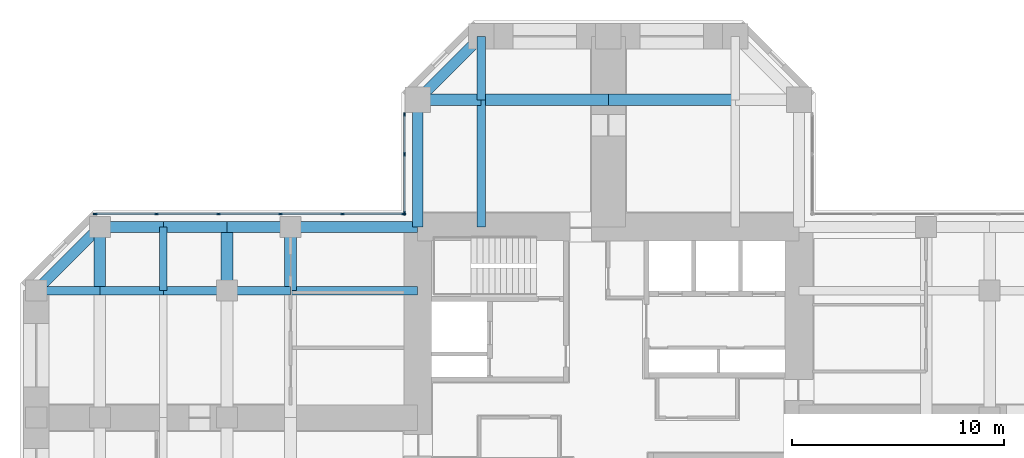
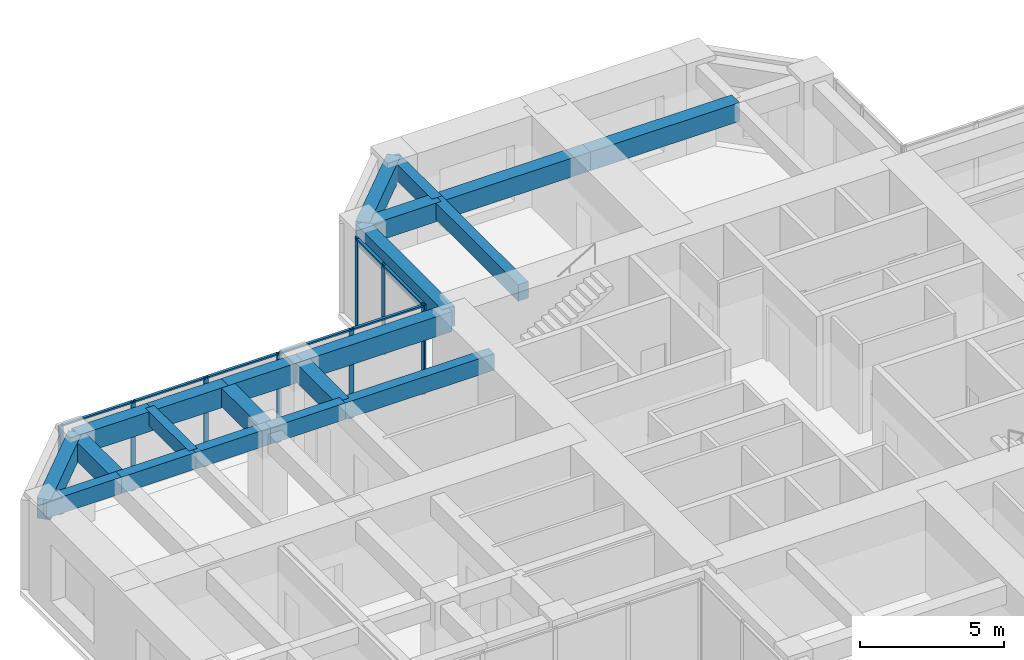
# One storey, part 5 of 12: 21 beams, 16 members, 2 elements without a shape of their own.
"""IFC4 building model written with IfcOpenShell, lengths in metres."""

import ifcopenshell
import ifcopenshell.guid

model = None  # the IFC model being written
_history = None  # IfcOwnerHistory: only IFC2X3 demands one
_inside = {}  # id of a spatial element -> (the spatial element, [elements in it])
_under = {}  # id of a project, library or spatial element -> (it, [spatial elements below it])
_declared = {}  # id of a project -> (the project, [libraries it declares])
_typed = {}  # id of a type object -> (the type object, [elements of that type])
_made_of = {}  # id of a material, layer set ... -> (it, [elements and type objects made of it])


def new_model(schema):
    """Start an empty IFC model of exactly this schema.

    Asked for "IFC4X3", IfcOpenShell would pick the latest addendum, in which some entities
    have other attributes; the version numbers below select the first issue.
    IFC2X3 requires an IfcOwnerHistory on every rooted entity: one is made here for all.
    """
    global model, _history
    if schema == "IFC4X3":
        model = ifcopenshell.file(schema_version=(4, 3, 0, 0))
    else:
        model = ifcopenshell.file(schema=schema)
    _inside.clear()
    _under.clear()
    _declared.clear()
    _typed.clear()
    _made_of.clear()
    _history = None
    if model.schema == "IFC2X3":
        org = make("IfcOrganization", Name="unknown")
        user = make(
            "IfcPersonAndOrganization",
            ThePerson=make("IfcPerson", FamilyName="unknown"),
            TheOrganization=org,
        )
        app = make(
            "IfcApplication",
            ApplicationDeveloper=org,
            Version="unknown",
            ApplicationFullName="unknown",
            ApplicationIdentifier="unknown",
        )
        _history = make(
            "IfcOwnerHistory",
            OwningUser=user,
            OwningApplication=app,
            ChangeAction="ADDED",
            CreationDate=0,
        )
    return model


def make(cls, **values):
    """One entity of the class cls with the attributes given. An attribute that is None is left unset."""
    return model.create_entity(
        cls, **{name: value for name, value in values.items() if value is not None}
    )


def rooted(cls, **values):
    """An entity with a GlobalId (a new one), such as an element, a storey or a relation."""
    return make(cls, GlobalId=ifcopenshell.guid.new(), OwnerHistory=_history, **values)


def si_unit(unit_type, name, prefix=None):
    """IfcSIUnit, for example si_unit("LENGTHUNIT", "METRE", prefix="MILLI")."""
    return make("IfcSIUnit", UnitType=unit_type, Prefix=prefix, Name=name)


def assignment(units):
    """IfcUnitAssignment: the units of a project."""
    return None if units is None else make("IfcUnitAssignment", Units=units)


def point(xyz):
    """IfcCartesianPoint."""
    return None if xyz is None else make("IfcCartesianPoint", Coordinates=xyz)


def direction(xyz):
    """IfcDirection."""
    return None if xyz is None else make("IfcDirection", DirectionRatios=xyz)


def frame(location, z_axis=None, x_axis=None):
    """IfcAxis2Placement3D, a coordinate frame: its origin and axes. An axis left out is left unset."""
    return make(
        "IfcAxis2Placement3D",
        Location=point(location),
        Axis=direction(z_axis),
        RefDirection=direction(x_axis),
    )


def frame_2d(location, x_axis=None):
    """IfcAxis2Placement2D, a coordinate frame in the plane: its origin and x axis."""
    return make(
        "IfcAxis2Placement2D", Location=point(location), RefDirection=direction(x_axis)
    )


def origin():
    """The frame at (0, 0, 0) with its axes left unset."""
    return frame((0.0, 0.0, 0.0))


def origin_2d():
    """The frame at (0, 0) in the plane with its x axis left unset."""
    return frame_2d((0.0, 0.0))


def place(relative_to, where):
    """IfcLocalPlacement: puts the frame where relative to a parent placement (None: the world)."""
    return make(
        "IfcLocalPlacement", PlacementRelTo=relative_to, RelativePlacement=where
    )


def context(
    kind, dimensions, precision=None, world=None, true_north=None, identifier=None
):
    """IfcGeometricRepresentationContext, for example the 3D "Model" context."""
    return make(
        "IfcGeometricRepresentationContext",
        ContextIdentifier=identifier,
        ContextType=kind,
        CoordinateSpaceDimension=dimensions,
        Precision=precision,
        WorldCoordinateSystem=world,
        TrueNorth=true_north,
    )


def subcontext(parent, identifier, kind, view, scale=None):
    """IfcGeometricRepresentationSubContext, for example "Body" below "Model"."""
    return make(
        "IfcGeometricRepresentationSubContext",
        ContextIdentifier=identifier,
        ContextType=kind,
        ParentContext=parent,
        TargetScale=scale,
        TargetView=view,
    )


def project(units=None, contexts=None):
    """IfcProject with its units and contexts."""
    return rooted(
        "IfcProject",
        Name="project",
        RepresentationContexts=contexts,
        UnitsInContext=assignment(units),
    )


def spatial(cls, under=None, at=None, **own):
    """A site, building, storey or space (cls), placed at a placement, below another one or the project."""
    s = rooted(cls, ObjectPlacement=at, **own)
    if under is not None:
        _under.setdefault(under.id(), (under, []))[1].append(s)
    return s


def profile(cls, at=None, kind="AREA", **sizes):
    """A parametric profile (cls). Its sizes go by their IFC names, for example OverallWidth=200.0."""
    return make(cls, ProfileType=kind, Position=at, **sizes)


def rectangle(**sizes):
    """IfcRectangleProfileDef."""
    return profile("IfcRectangleProfileDef", **sizes)


def extrude(swept, where, along, depth):
    """IfcExtrudedAreaSolid: the profile swept, set in the frame where, extruded along a direction by depth."""
    return make(
        "IfcExtrudedAreaSolid",
        SweptArea=swept,
        Position=where,
        ExtrudedDirection=direction(along),
        Depth=depth,
    )


def shape(context_of_items, identifier, shape_type, items):
    """IfcShapeRepresentation: the items that make up one representation, for example the "Body"."""
    return make(
        "IfcShapeRepresentation",
        ContextOfItems=context_of_items,
        RepresentationIdentifier=identifier,
        RepresentationType=shape_type,
        Items=items,
    )


def material(Name=None, Category=None):
    """IfcMaterial."""
    return make("IfcMaterial", Name=Name, Category=Category)


def material_profile(
    of_material, cross_section, Name=None, Category=None, Priority=None
):
    """IfcMaterialProfile: a cross section and its material."""
    return make(
        "IfcMaterialProfile",
        Name=Name,
        Material=of_material,
        Profile=cross_section,
        Priority=Priority,
        Category=Category,
    )


def profile_set(profiles, Name=None, composite=None):
    """IfcMaterialProfileSet."""
    return make(
        "IfcMaterialProfileSet",
        Name=Name,
        MaterialProfiles=profiles,
        CompositeProfile=composite,
    )


def made_of(thing, what):
    """Note that an element or type object is made of a material, layer set ...; save() writes the relation."""
    if what is not None:
        _made_of.setdefault(what.id(), (what, []))[1].append(thing)
    return thing


def type_object(cls, material=None, **own):
    """A type object (cls), such as IfcWallType, which elements share."""
    return made_of(rooted(cls, **own), material)


def element(
    cls,
    number,
    at=None,
    inside=None,
    cuts=None,
    type_object=None,
    material=None,
    context=None,
    identifier="Body",
    shape_type=None,
    held_by="IfcProductDefinitionShape",
    body=None,
    shapes=None,
    **own,
):
    """One element of the class cls, such as IfcWall. Its Tag is "e" and its number.

    at: its placement. inside: the storey or other place that contains it. cuts: it is an
    opening in that element (IfcRelVoidsElement). A single representation is given by context,
    identifier, shape_type and body (its items); several are given by shapes. held_by: the class
    of the entity that holds the representations. save() writes the other relations.
    """
    e = rooted(cls, Tag="e%d" % number, ObjectPlacement=at, **own)
    if body is not None:
        shapes = [shape(context, identifier, shape_type, body)]
    if shapes is not None:
        e.Representation = make(held_by, Representations=shapes)
    if inside is not None:
        _inside.setdefault(inside.id(), (inside, []))[1].append(e)
    if cuts is not None:
        rooted(
            "IfcRelVoidsElement", RelatingBuildingElement=cuts, RelatedOpeningElement=e
        )
    if type_object is not None:
        _typed.setdefault(type_object.id(), (type_object, []))[1].append(e)
    return made_of(e, material)


def aggregate(whole, parts):
    """IfcRelAggregates: a whole, such as a stair, and the parts it consists of."""
    return rooted("IfcRelAggregates", RelatingObject=whole, RelatedObjects=parts)


def save(model, path):
    """Write the relations noted so far, then the file.

    IfcRelAggregates (storeys below a building ...), IfcRelContainedInSpatialStructure (elements
    in a storey), IfcRelDefinesByType, IfcRelAssociatesMaterial and IfcRelDeclares: one each for
    every whole, place, type object, material and project.
    """
    for whole, parts in _under.values():
        aggregate(whole, parts)
    for where, things in _inside.values():
        rooted(
            "IfcRelContainedInSpatialStructure",
            RelatedElements=things,
            RelatingStructure=where,
        )
    for kind, things in _typed.values():
        rooted("IfcRelDefinesByType", RelatedObjects=things, RelatingType=kind)
    for what, things in _made_of.values():
        rooted("IfcRelAssociatesMaterial", RelatedObjects=things, RelatingMaterial=what)
    for by, libraries in _declared.values():
        rooted("IfcRelDeclares", RelatingContext=by, RelatedDefinitions=libraries)
    model.write(path)


model = new_model("IFC4")

# Units and contexts
model_context = context("Model", 3, precision=1e-05, world=origin(), true_north=direction((0.0, 1.0)))
body_context = subcontext(model_context, "Body", "Model", "MODEL_VIEW")
ifc_project = project(units=[si_unit("LENGTHUNIT", "METRE"), si_unit("AREAUNIT", "SQUARE_METRE"), si_unit("VOLUMEUNIT", "CUBIC_METRE"), si_unit("PLANEANGLEUNIT", "RADIAN"), si_unit("MASSUNIT", "GRAM", prefix="KILO")], contexts=[model_context])

# Site, building, storey
site_placement = place(None, origin())
site = spatial("IfcSite", under=ifc_project, at=site_placement, CompositionType="ELEMENT")
building_placement = place(site_placement, origin())
building = spatial("IfcBuilding", under=site, at=building_placement, Name="Torre Cruceta", CompositionType="ELEMENT")
storey_placement = place(building_placement, frame((0.0, 0.0, 108.5)))
storey = spatial("IfcBuildingStorey", under=building, at=storey_placement, Name="L26", CompositionType="ELEMENT", Elevation=108.5)

# Beams
ifc_material_1 = material(Name="Concrete G60 (fck 60 MPa)", Category="concrete")
ifc_material_profile_1 = material_profile(ifc_material_1, rectangle(XDim=0.39990234375, YDim=0.699951171875, at=origin_2d()), Name="RC 400X700")
ifc_profile_set_1 = profile_set([ifc_material_profile_1], Name="Concrete G60 (fck 60 MPa)")
beam_type_1 = type_object("IfcBeamType", Name="COLUMN LINE BEAM RC 400X700", PredefinedType="BEAM", material=ifc_profile_set_1)
beam_1_placement = place(storey_placement, frame((-6.0, 9.0, 3.449951171875), z_axis=(0.0, 1.0, 0.0), x_axis=(-1.0, 0.0, 0.0)))
element("IfcBeam", 1, at=beam_1_placement, inside=storey, type_object=beam_type_1, Name="LB5 L26 N col+ 1", PredefinedType="BEAM", context=body_context, shape_type="SweptSolid", body=[
    extrude(rectangle(XDim=0.39990234375, YDim=0.699951171875, at=origin_2d()), origin(), (0.0, 0.0, 1.0), 6.0),
])
beam_2_placement = place(storey_placement, frame((-6.0, 15.0, 3.449951171875), z_axis=(0.0, 1.0, 0.0), x_axis=(-1.0, 0.0, 0.0)))
element("IfcBeam", 2, at=beam_2_placement, inside=storey, type_object=beam_type_1, Name="LB5 L26 N col+ 2", PredefinedType="BEAM", context=body_context, shape_type="SweptSolid", body=[
    extrude(rectangle(XDim=0.39990234375, YDim=0.699951171875, at=origin_2d()), origin(), (0.0, 0.0, 1.0), 3.0),
])
beam_3_placement = place(storey_placement, frame((-9.0, 6.0, 3.449951171875), z_axis=(-1.0, 0.0, 0.0), x_axis=(0.0, -1.0, 0.0)))
element("IfcBeam", 3, at=beam_3_placement, inside=storey, type_object=beam_type_1, Name="LB5 L26 W col- 1", PredefinedType="BEAM", context=body_context, shape_type="SweptSolid", body=[
    extrude(rectangle(XDim=0.39990234375, YDim=0.699951171875, at=origin_2d()), origin(), (0.0, 0.0, 1.0), 6.0),
])
for number, where, z_axis, x_axis, name in (
    (4, (-15.0, 6.0, 3.449951171875), (-1.0, 0.0, 0.0), (0.0, -1.0, 0.0), "LB5 L26 W col- 2"),
    (5, (-18.0, 6.0, 3.449951171875), (-1.0, 0.0, 0.0), (0.0, -1.0, 0.0), "LB5 L26 W col- 3"),
    (6, (-21.0, 6.0, 3.449951171875), (-1.0, 0.0, 0.0), (0.0, -1.0, 0.0), "LB5 L26 W col- 4"),
    (7, (-24.0, 6.0, 3.449951171875), (-1.0, 0.0, 0.0), (0.0, -1.0, 0.0), "LB5 L26 W col- 5"),
):
    element("IfcBeam", number, at=place(storey_placement, frame(where, z_axis=z_axis, x_axis=x_axis)), inside=storey, type_object=beam_type_1, Name=name, PredefinedType="BEAM", context=body_context, shape_type="SweptSolid", body=[
        extrude(rectangle(XDim=0.39990234375, YDim=0.699951171875, at=origin_2d()), origin(), (0.0, 0.0, 1.0), 3.0),
    ])
ifc_material_2 = material(Name="Concrete G60 (fck 60 MPa)", Category="concrete")
ifc_material_profile_2 = material_profile(ifc_material_2, rectangle(XDim=0.550048828125, YDim=0.800048828125, at=origin_2d()), Name="RC 550X800")
ifc_profile_set_2 = profile_set([ifc_material_profile_2], Name="Concrete G60 (fck 60 MPa)")
beam_type_2 = type_object("IfcBeamType", Name="CROSS BEAM RC 550X800", PredefinedType="BEAM", material=ifc_profile_set_2)
for number, where, z_axis, x_axis, name in (
    (8, (6.0, 15.0, 3.39990234375), (-1.0, 0.0, 0.0), (0.0, -1.0, 0.0), "GB5 L26 N cross15 2"),
    (9, (0.0, 15.0, 3.39990234375), (-1.0, 0.0, 0.0), (0.0, -1.0, 0.0), "GB5 L26 N cross15 3"),
):
    element("IfcBeam", number, at=place(storey_placement, frame(where, z_axis=z_axis, x_axis=x_axis)), inside=storey, type_object=beam_type_2, Name=name, PredefinedType="BEAM", context=body_context, shape_type="SweptSolid", body=[
        extrude(rectangle(XDim=0.550048828125, YDim=0.800048828125, at=origin_2d()), origin(), (0.0, 0.0, 1.0), 6.0),
    ])
for number, where, z_axis, x_axis, name in (
    (10, (-6.0, 15.0, 3.39990234375), (-1.0, 0.0, 0.0), (0.0, -1.0, 0.0), "GB5 L26 N cross15 4"),
    (11, (-15.0, 9.0, 3.39990234375), (0.0, -1.0, 0.0), (1.0, 0.0, 0.0), "GB5 L26 W cross15 1"),
    (12, (-18.0, 9.0, 3.39990234375), (0.0, -1.0, 0.0), (1.0, 0.0, 0.0), "GB5 L26 W cross18 1"),
    (13, (-24.0, 9.0, 3.39990234375), (0.0, -1.0, 0.0), (1.0, 0.0, 0.0), "GB5 L26 W cross24 1"),
):
    element("IfcBeam", number, at=place(storey_placement, frame(where, z_axis=z_axis, x_axis=x_axis)), inside=storey, type_object=beam_type_2, Name=name, PredefinedType="BEAM", context=body_context, shape_type="SweptSolid", body=[
        extrude(rectangle(XDim=0.550048828125, YDim=0.800048828125, at=origin_2d()), origin(), (0.0, 0.0, 1.0), 3.0),
    ])

# Curtain wall, members
ifc_material_3 = material(Name="Aluminium unitised curtain wall", Category="aluminium")
curtain_wall_type = type_object("IfcCurtainWallType", Name="CURTAIN WALL CW-B OFFICE MID RISE", PredefinedType="USERDEFINED", material=ifc_material_3)
curtain_wall_1_placement = place(storey_placement, origin())
curtain_wall_1 = element("IfcCurtainWall", 14, at=curtain_wall_1_placement, inside=storey, type_object=curtain_wall_type, Name="CW-B L26 N side 09", ObjectType="UNITISED", PredefinedType="USERDEFINED")
ifc_material_4 = material(Name="Aluminium mullion", Category="aluminium")
ifc_material_profile_3 = material_profile(ifc_material_4, rectangle(XDim=0.06494140625, YDim=0.179931640625, at=origin_2d()), Name="AL 65X180")
ifc_profile_set_3 = profile_set([ifc_material_profile_3], Name="Aluminium mullion")
member_type_1 = type_object("IfcMemberType", Name="CW-B MULLION 65X180", PredefinedType="MULLION", material=ifc_profile_set_3)
member_1_placement = place(storey_placement, frame((-9.6201171875, 14.30908203125, 0.0), z_axis=(0.0, 0.0, 1.0), x_axis=(1.0, 0.0, 0.0)))
member_1 = element("IfcMember", 15, at=member_1_placement, type_object=member_type_1, Name="CW-B mullion 1", PredefinedType="MULLION", context=body_context, shape_type="SweptSolid", body=[
    extrude(rectangle(XDim=0.06494140625, YDim=0.179931640625, at=origin_2d()), origin(), (0.0, 0.0, 1.0), 3.800048828125),
])
member_2_placement = place(storey_placement, frame((-9.6201171875, 12.4384765625, 0.0), z_axis=(0.0, 0.0, 1.0), x_axis=(1.0, 0.0, 0.0)))
member_2 = element("IfcMember", 16, at=member_2_placement, type_object=member_type_1, Name="CW-B mullion 2", PredefinedType="MULLION", context=body_context, shape_type="SweptSolid", body=[
    extrude(rectangle(XDim=0.06494140625, YDim=0.179931640625, at=origin_2d()), origin(), (0.0, 0.0, 1.0), 3.800048828125),
])
member_3_placement = place(storey_placement, frame((-9.6201171875, 9.652587890625, 0.0), z_axis=(0.0, 0.0, 1.0), x_axis=(1.0, 0.0, 0.0)))
member_3 = element("IfcMember", 17, at=member_3_placement, type_object=member_type_1, Name="CW-B mullion 3", PredefinedType="MULLION", context=body_context, shape_type="SweptSolid", body=[
    extrude(rectangle(XDim=0.06494140625, YDim=0.179931640625, at=origin_2d()), origin(), (0.0, 0.0, 1.0), 3.800048828125),
])

curtain_wall_2_placement = place(storey_placement, origin())
curtain_wall_2 = element("IfcCurtainWall", 18, at=curtain_wall_2_placement, inside=storey, type_object=curtain_wall_type, Name="CW-B L26 W side 10", ObjectType="UNITISED", PredefinedType="USERDEFINED")
member_4_placement = place(storey_placement, frame((-9.652587890625, 9.6201171875, 0.0), z_axis=(0.0, 0.0, 1.0), x_axis=(0.0, -1.0, 0.0)))
member_4 = element("IfcMember", 19, at=member_4_placement, type_object=member_type_1, Name="CW-B mullion 1", PredefinedType="MULLION", context=body_context, shape_type="SweptSolid", body=[
    extrude(rectangle(XDim=0.06494140625, YDim=0.179931640625, at=origin_2d()), origin(), (0.0, 0.0, 1.0), 3.800048828125),
])
member_5_placement = place(storey_placement, frame((-12.54736328125, 9.6201171875, 0.0), z_axis=(0.0, 0.0, 1.0), x_axis=(0.0, -1.0, 0.0)))
member_5 = element("IfcMember", 20, at=member_5_placement, type_object=member_type_1, Name="CW-B mullion 2", PredefinedType="MULLION", context=body_context, shape_type="SweptSolid", body=[
    extrude(rectangle(XDim=0.06494140625, YDim=0.179931640625, at=origin_2d()), origin(), (0.0, 0.0, 1.0), 3.800048828125),
])
member_6_placement = place(storey_placement, frame((-15.474609375, 9.6201171875, 0.0), z_axis=(0.0, 0.0, 1.0), x_axis=(0.0, -1.0, 0.0)))
member_6 = element("IfcMember", 21, at=member_6_placement, type_object=member_type_1, Name="CW-B mullion 3", PredefinedType="MULLION", context=body_context, shape_type="SweptSolid", body=[
    extrude(rectangle(XDim=0.06494140625, YDim=0.179931640625, at=origin_2d()), origin(), (0.0, 0.0, 1.0), 3.800048828125),
])
member_7_placement = place(storey_placement, frame((-18.402099609375, 9.6201171875, 0.0), z_axis=(0.0, 0.0, 1.0), x_axis=(0.0, -1.0, 0.0)))
member_7 = element("IfcMember", 22, at=member_7_placement, type_object=member_type_1, Name="CW-B mullion 4", PredefinedType="MULLION", context=body_context, shape_type="SweptSolid", body=[
    extrude(rectangle(XDim=0.06494140625, YDim=0.179931640625, at=origin_2d()), origin(), (0.0, 0.0, 1.0), 3.800048828125),
])
member_8_placement = place(storey_placement, frame((-21.329345703125, 9.6201171875, 0.0), z_axis=(0.0, 0.0, 1.0), x_axis=(0.0, -1.0, 0.0)))
member_8 = element("IfcMember", 23, at=member_8_placement, type_object=member_type_1, Name="CW-B mullion 5", PredefinedType="MULLION", context=body_context, shape_type="SweptSolid", body=[
    extrude(rectangle(XDim=0.06494140625, YDim=0.179931640625, at=origin_2d()), origin(), (0.0, 0.0, 1.0), 3.800048828125),
])
member_9_placement = place(storey_placement, frame((-24.224365234375, 9.6201171875, 0.0), z_axis=(0.0, 0.0, 1.0), x_axis=(0.0, -1.0, 0.0)))
member_9 = element("IfcMember", 24, at=member_9_placement, type_object=member_type_1, Name="CW-B mullion 6", PredefinedType="MULLION", context=body_context, shape_type="SweptSolid", body=[
    extrude(rectangle(XDim=0.06494140625, YDim=0.179931640625, at=origin_2d()), origin(), (0.0, 0.0, 1.0), 3.800048828125),
])

# Member
ifc_material_5 = material(Name="Aluminium transom", Category="aluminium")
ifc_material_profile_4 = material_profile(ifc_material_5, rectangle(XDim=0.110107421875, YDim=0.06494140625, at=origin_2d()), Name="AL 110X65")
ifc_profile_set_4 = profile_set([ifc_material_profile_4], Name="Aluminium transom")
member_type_2 = type_object("IfcMemberType", Name="CW-B TRANSOM 65X110", PredefinedType="USERDEFINED", material=ifc_profile_set_4)
member_10_placement = place(storey_placement, frame((-9.6201171875, 14.276611328125, 3.767578125), z_axis=(0.0, -1.0, 0.0), x_axis=(1.0, 0.0, 0.0)))
member_10 = element("IfcMember", 25, at=member_10_placement, type_object=member_type_2, Name="CW-B transom 1", ObjectType="TRANSOM", PredefinedType="USERDEFINED", context=body_context, shape_type="SweptSolid", body=[
    extrude(rectangle(XDim=0.110107421875, YDim=0.06494140625, at=origin_2d()), origin(), (0.0, 0.0, 1.0), 1.8056640625),
])

member_11_placement = place(storey_placement, frame((-9.6201171875, 12.406005859375, 3.767578125), z_axis=(0.0, -1.0, 0.0), x_axis=(1.0, 0.0, 0.0)))
member_11 = element("IfcMember", 26, at=member_11_placement, type_object=member_type_2, Name="CW-B transom 2", ObjectType="TRANSOM", PredefinedType="USERDEFINED", context=body_context, shape_type="SweptSolid", body=[
    extrude(rectangle(XDim=0.110107421875, YDim=0.06494140625, at=origin_2d()), origin(), (0.0, 0.0, 1.0), 2.720947265625),
])

aggregate(curtain_wall_1, [member_1, member_2, member_3, member_10, member_11])

member_12_placement = place(storey_placement, frame((-9.68505859375, 9.6201171875, 3.767578125), z_axis=(-1.0, 0.0, 0.0), x_axis=(0.0, -1.0, 0.0)))
member_12 = element("IfcMember", 27, at=member_12_placement, type_object=member_type_2, Name="CW-B transom 1", ObjectType="TRANSOM", PredefinedType="USERDEFINED", context=body_context, shape_type="SweptSolid", body=[
    extrude(rectangle(XDim=0.110107421875, YDim=0.06494140625, at=origin_2d()), origin(), (0.0, 0.0, 1.0), 2.829833984375),
])

member_13_placement = place(storey_placement, frame((-12.579833984375, 9.6201171875, 3.767578125), z_axis=(-1.0, 0.0, 0.0), x_axis=(0.0, -1.0, 0.0)))
member_13 = element("IfcMember", 28, at=member_13_placement, type_object=member_type_2, Name="CW-B transom 2", ObjectType="TRANSOM", PredefinedType="USERDEFINED", context=body_context, shape_type="SweptSolid", body=[
    extrude(rectangle(XDim=0.110107421875, YDim=0.06494140625, at=origin_2d()), origin(), (0.0, 0.0, 1.0), 2.8623046875),
])

member_14_placement = place(storey_placement, frame((-15.50732421875, 9.6201171875, 3.767578125), z_axis=(-1.0, 0.0, 0.0), x_axis=(0.0, -1.0, 0.0)))
member_14 = element("IfcMember", 29, at=member_14_placement, type_object=member_type_2, Name="CW-B transom 3", ObjectType="TRANSOM", PredefinedType="USERDEFINED", context=body_context, shape_type="SweptSolid", body=[
    extrude(rectangle(XDim=0.110107421875, YDim=0.06494140625, at=origin_2d()), origin(), (0.0, 0.0, 1.0), 2.8623046875),
])

member_15_placement = place(storey_placement, frame((-18.4345703125, 9.6201171875, 3.767578125), z_axis=(-1.0, 0.0, 0.0), x_axis=(0.0, -1.0, 0.0)))
member_15 = element("IfcMember", 30, at=member_15_placement, type_object=member_type_2, Name="CW-B transom 4", ObjectType="TRANSOM", PredefinedType="USERDEFINED", context=body_context, shape_type="SweptSolid", body=[
    extrude(rectangle(XDim=0.110107421875, YDim=0.06494140625, at=origin_2d()), origin(), (0.0, 0.0, 1.0), 2.8623046875),
])

member_16_placement = place(storey_placement, frame((-21.362060546875, 9.6201171875, 3.767578125), z_axis=(-1.0, 0.0, 0.0), x_axis=(0.0, -1.0, 0.0)))
member_16 = element("IfcMember", 31, at=member_16_placement, type_object=member_type_2, Name="CW-B transom 5", ObjectType="TRANSOM", PredefinedType="USERDEFINED", context=body_context, shape_type="SweptSolid", body=[
    extrude(rectangle(XDim=0.110107421875, YDim=0.06494140625, at=origin_2d()), origin(), (0.0, 0.0, 1.0), 2.829833984375),
])

aggregate(curtain_wall_2, [member_4, member_5, member_6, member_7, member_8, member_9, member_12, member_13, member_14, member_15, member_16])

# Beams
ifc_material_6 = material(Name="Concrete G60 (fck 60 MPa)", Category="concrete")
ifc_material_profile_5 = material_profile(ifc_material_6, rectangle(XDim=0.35009765625, YDim=0.60009765625, at=origin_2d()), Name="RC 350X600")
ifc_profile_set_5 = profile_set([ifc_material_profile_5], Name="Concrete G60 (fck 60 MPa)")
beam_type_3 = type_object("IfcBeamType", Name="SECONDARY BEAM RC 350X600", PredefinedType="JOIST", material=ifc_profile_set_5)
beam_4_placement = place(storey_placement, frame((-21.0, 9.0, 3.5), z_axis=(0.0, -1.0, 0.0), x_axis=(1.0, 0.0, 0.0)))
element("IfcBeam", 32, at=beam_4_placement, inside=storey, type_object=beam_type_3, Name="JB5 L26 W sec21 1", PredefinedType="JOIST", context=body_context, shape_type="SweptSolid", body=[
    extrude(rectangle(XDim=0.35009765625, YDim=0.60009765625, at=origin_2d()), origin(), (0.0, 0.0, 1.0), 3.0),
])
ifc_material_7 = material(Name="Concrete G60 (fck 60 MPa)", Category="concrete")
ifc_material_profile_6 = material_profile(ifc_material_7, rectangle(XDim=0.5, YDim=0.85009765625, at=origin_2d()), Name="RC 500X850")
ifc_profile_set_6 = profile_set([ifc_material_profile_6], Name="Concrete G60 (fck 60 MPa)")
beam_type_4 = type_object("IfcBeamType", Name="SPANDREL BEAM RC 500X850", PredefinedType="SPANDREL", material=ifc_profile_set_6)
beam_5_placement = place(storey_placement, frame((-9.0, 9.0, 3.375), z_axis=(0.0, 1.0, 0.0), x_axis=(-1.0, 0.0, 0.0)))
element("IfcBeam", 33, at=beam_5_placement, inside=storey, type_object=beam_type_4, Name="SB5 L26 N side+ 1", PredefinedType="SPANDREL", context=body_context, shape_type="SweptSolid", body=[
    extrude(rectangle(XDim=0.5, YDim=0.85009765625, at=origin_2d()), origin(), (0.0, 0.0, 1.0), 6.0),
])
beam_6_placement = place(storey_placement, frame((-9.0, 15.0, 3.375), z_axis=(0.707106781187, 0.707106781187, 0.0), x_axis=(-0.707106781187, 0.707106781187, 0.0)))
element("IfcBeam", 34, at=beam_6_placement, inside=storey, type_object=beam_type_4, Name="SB5 L26 N side+ 2", PredefinedType="SPANDREL", context=body_context, shape_type="SweptSolid", body=[
    extrude(rectangle(XDim=0.5, YDim=0.85009765625, at=origin_2d()), origin(), (0.0, 0.0, 1.0), 4.24267578125),
])
beam_7_placement = place(storey_placement, frame((-9.0, 9.0, 3.375), z_axis=(-1.0, 0.0, 0.0), x_axis=(0.0, -1.0, 0.0)))
element("IfcBeam", 35, at=beam_7_placement, inside=storey, type_object=beam_type_4, Name="SB5 L26 W side- 1", PredefinedType="SPANDREL", context=body_context, shape_type="SweptSolid", body=[
    extrude(rectangle(XDim=0.5, YDim=0.85009765625, at=origin_2d()), origin(), (0.0, 0.0, 1.0), 6.0),
])
for number, where, z_axis, x_axis, name in (
    (36, (-15.0, 9.0, 3.375), (-1.0, 0.0, 0.0), (0.0, -1.0, 0.0), "SB5 L26 W side- 2"),
    (37, (-18.0, 9.0, 3.375), (-1.0, 0.0, 0.0), (0.0, -1.0, 0.0), "SB5 L26 W side- 3"),
    (38, (-21.0, 9.0, 3.375), (-1.0, 0.0, 0.0), (0.0, -1.0, 0.0), "SB5 L26 W side- 4"),
):
    element("IfcBeam", number, at=place(storey_placement, frame(where, z_axis=z_axis, x_axis=x_axis)), inside=storey, type_object=beam_type_4, Name=name, PredefinedType="SPANDREL", context=body_context, shape_type="SweptSolid", body=[
        extrude(rectangle(XDim=0.5, YDim=0.85009765625, at=origin_2d()), origin(), (0.0, 0.0, 1.0), 3.0),
    ])
beam_8_placement = place(storey_placement, frame((-24.0, 9.0, 3.375), z_axis=(-0.707106781187, -0.707106781187, 0.0), x_axis=(0.707106781187, -0.707106781187, 0.0)))
element("IfcBeam", 39, at=beam_8_placement, inside=storey, type_object=beam_type_4, Name="SB5 L26 W side- 5", PredefinedType="SPANDREL", context=body_context, shape_type="SweptSolid", body=[
    extrude(rectangle(XDim=0.5, YDim=0.85009765625, at=origin_2d()), origin(), (0.0, 0.0, 1.0), 4.24267578125),
])

save(model, "model.ifc")
